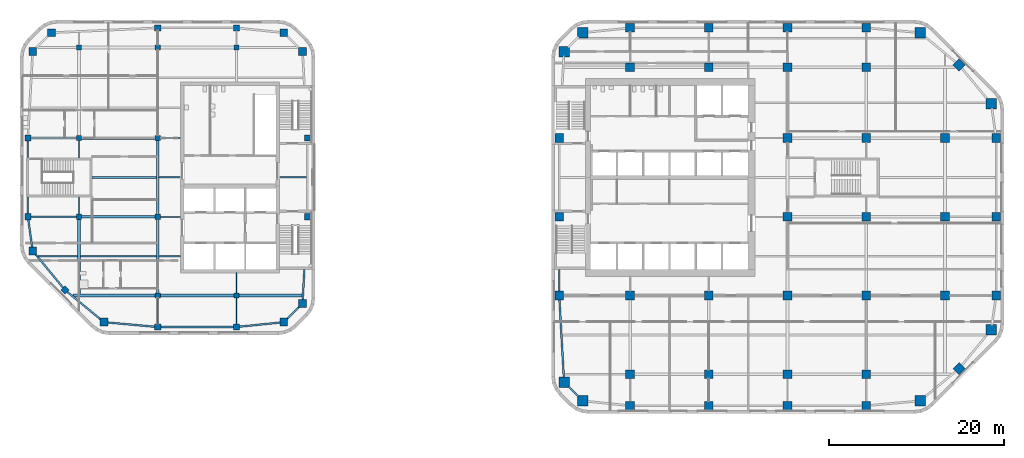
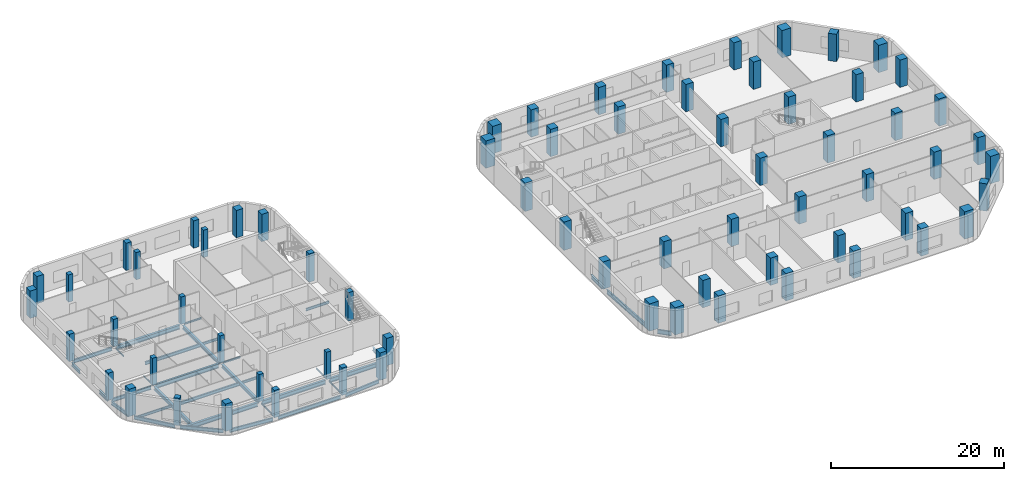
# One storey, part 1 of 15: 69 columns, 36 beams.
"""IFC4 building model written with IfcOpenShell, lengths in metres."""

from ifc_helpers import new_model, si_unit, direction, frame, origin, origin_2d, place, context, subcontext, project, spatial, rectangle, i_section, extrude, material, material_profile, profile_set, type_object, element, save


model = new_model("IFC4")

# Units and contexts
model_context = context("Model", 3, precision=1e-05, world=origin(), true_north=direction((0.0, 1.0)))
body_context = subcontext(model_context, "Body", "Model", "MODEL_VIEW")
ifc_project = project(units=[si_unit("LENGTHUNIT", "METRE"), si_unit("AREAUNIT", "SQUARE_METRE"), si_unit("VOLUMEUNIT", "CUBIC_METRE"), si_unit("PLANEANGLEUNIT", "RADIAN"), si_unit("MASSUNIT", "GRAM", prefix="KILO")], contexts=[model_context])

# Site, building, storey
site_placement = place(None, origin())
site = spatial("IfcSite", under=ifc_project, at=site_placement, CompositionType="ELEMENT")
building_placement = place(site_placement, origin())
building = spatial("IfcBuilding", under=site, at=building_placement, Name="Cinnabar Reach Civic Tower", CompositionType="ELEMENT")
storey_placement = place(building_placement, frame((0.0, 0.0, 120.0)))
storey = spatial("IfcBuildingStorey", under=building, at=storey_placement, Name="L28", CompositionType="ELEMENT", Elevation=120.0)

# Columns
ifc_material_1 = material(Name="Concrete C70", Category="concrete")
ifc_material_profile_1 = material_profile(ifc_material_1, rectangle(XDim=1.0, YDim=1.0, at=origin_2d()), Name="RC1000")
ifc_profile_set_1 = profile_set([ifc_material_profile_1], Name="Concrete C70")
column_type_1 = type_object("IfcColumnType", Name="RC1000 column R 240", PredefinedType="COLUMN", material=ifc_profile_set_1)
for number, where, z_axis, x_axis, name in (
    (1, (9.0, 5.4, 0.0), (0.0, 0.0, 1.0), (1.0, 0.0, 0.0), "Column T1-Z2-F0-1"),
    (2, (18.0, 5.4, 0.0), (0.0, 0.0, 1.0), (1.0, 0.0, 0.0), "Column T1-Z2-F0-2"),
    (3, (27.0, 5.4, 0.0), (0.0, 0.0, 1.0), (1.0, 0.0, 0.0), "Column T1-Z2-F0-3"),
    (4, (36.0, 5.4, 0.0), (0.0, 0.0, 1.0), (1.0, 0.0, 0.0), "Column T1-Z2-F0-4"),
    (5, (46.6136, 9.6364, 0.0), (0.0, 0.0, 1.0), (0.707106781187, 0.707106781187, 0.0), "Column T1-Z2-F1-M"),
    (6, (50.85, 18.0, 0.0), (0.0, 0.0, 1.0), (1.0, 0.0, 0.0), "Column T1-Z2-F2-2"),
    (7, (50.85, 27.0, 0.0), (0.0, 0.0, 1.0), (1.0, 0.0, 0.0), "Column T1-Z2-F2-3"),
    (8, (50.85, 36.0, 0.0), (0.0, 0.0, 1.0), (1.0, 0.0, 0.0), "Column T1-Z2-F2-4"),
    (9, (46.6136, 44.3636, 0.0), (0.0, 0.0, 1.0), (0.707106781187, 0.707106781187, 0.0), "Column T1-Z2-F3-M"),
    (10, (9.0, 48.6, 0.0), (0.0, 0.0, 1.0), (1.0, 0.0, 0.0), "Column T1-Z2-F4-1"),
    (11, (18.0, 48.6, 0.0), (0.0, 0.0, 1.0), (1.0, 0.0, 0.0), "Column T1-Z2-F4-2"),
    (12, (27.0, 48.6, 0.0), (0.0, 0.0, 1.0), (1.0, 0.0, 0.0), "Column T1-Z2-F4-3"),
    (13, (36.0, 48.6, 0.0), (0.0, 0.0, 1.0), (1.0, 0.0, 0.0), "Column T1-Z2-F4-4"),
    (14, (0.9, 18.0, 0.0), (0.0, 0.0, 1.0), (1.0, 0.0, 0.0), "Column T1-Z2-F6-2"),
):
    element("IfcColumn", number, at=place(storey_placement, frame(where, z_axis=z_axis, x_axis=x_axis)), inside=storey, type_object=column_type_1, Name=name, PredefinedType="COLUMN", context=body_context, shape_type="SweptSolid", body=[
        extrude(rectangle(XDim=1.0, YDim=1.0, at=origin_2d()), origin(), (0.0, 0.0, 1.0), 3.85),
    ])
for number, where, z_axis, x_axis, name in (
    (15, (0.9, 27.0, 0.0), (0.0, 0.0, 1.0), (1.0, 0.0, 0.0), "Column T1-Z2-F6-3"),
    (16, (0.9, 36.0, 0.0), (0.0, 0.0, 1.0), (1.0, 0.0, 0.0), "Column T1-Z2-F6-4"),
):
    element("IfcColumn", number, at=place(storey_placement, frame(where, z_axis=z_axis, x_axis=x_axis)), inside=storey, type_object=column_type_1, Name=name, PredefinedType="COLUMN", context=body_context, shape_type="SweptSolid", body=[
        extrude(rectangle(XDim=1.0, YDim=1.0, at=origin_2d()), origin(), (0.0, 0.0, 1.0), 4.0),
    ])
for number, where, z_axis, x_axis, name in (
    (17, (9.0, 9.0, 0.0), (0.0, 0.0, 1.0), (1.0, 0.0, 0.0), "Column T1-Z2-I9_9"),
    (18, (9.0, 18.0, 0.0), (0.0, 0.0, 1.0), (1.0, 0.0, 0.0), "Column T1-Z2-I9_18"),
    (19, (9.0, 44.1, 0.0), (0.0, 0.0, 1.0), (1.0, 0.0, 0.0), "Column T1-Z2-I9_45"),
    (20, (18.0, 9.0, 0.0), (0.0, 0.0, 1.0), (1.0, 0.0, 0.0), "Column T1-Z2-I18_9"),
    (21, (18.0, 18.0, 0.0), (0.0, 0.0, 1.0), (1.0, 0.0, 0.0), "Column T1-Z2-I18_18"),
    (22, (18.0, 44.1, 0.0), (0.0, 0.0, 1.0), (1.0, 0.0, 0.0), "Column T1-Z2-I18_45"),
    (23, (27.0, 9.0, 0.0), (0.0, 0.0, 1.0), (1.0, 0.0, 0.0), "Column T1-Z2-I27_9"),
    (24, (27.0, 18.0, 0.0), (0.0, 0.0, 1.0), (1.0, 0.0, 0.0), "Column T1-Z2-I27_18"),
    (25, (27.0, 27.0, 0.0), (0.0, 0.0, 1.0), (1.0, 0.0, 0.0), "Column T1-Z2-I27_27"),
    (26, (27.0, 36.0, 0.0), (0.0, 0.0, 1.0), (1.0, 0.0, 0.0), "Column T1-Z2-I27_36"),
    (27, (27.0, 44.1, 0.0), (0.0, 0.0, 1.0), (1.0, 0.0, 0.0), "Column T1-Z2-I27_45"),
    (28, (36.0, 9.0, 0.0), (0.0, 0.0, 1.0), (1.0, 0.0, 0.0), "Column T1-Z2-I36_9"),
    (29, (36.0, 18.0, 0.0), (0.0, 0.0, 1.0), (1.0, 0.0, 0.0), "Column T1-Z2-I36_18"),
    (30, (36.0, 27.0, 0.0), (0.0, 0.0, 1.0), (1.0, 0.0, 0.0), "Column T1-Z2-I36_27"),
    (31, (36.0, 36.0, 0.0), (0.0, 0.0, 1.0), (1.0, 0.0, 0.0), "Column T1-Z2-I36_36"),
    (32, (36.0, 44.1, 0.0), (0.0, 0.0, 1.0), (1.0, 0.0, 0.0), "Column T1-Z2-I36_45"),
    (33, (45.0, 18.0, 0.0), (0.0, 0.0, 1.0), (1.0, 0.0, 0.0), "Column T1-Z2-I45_18"),
    (34, (45.0, 27.0, 0.0), (0.0, 0.0, 1.0), (1.0, 0.0, 0.0), "Column T1-Z2-I45_27"),
    (35, (45.0, 36.0, 0.0), (0.0, 0.0, 1.0), (1.0, 0.0, 0.0), "Column T1-Z2-I45_36"),
):
    element("IfcColumn", number, at=place(storey_placement, frame(where, z_axis=z_axis, x_axis=x_axis)), inside=storey, type_object=column_type_1, Name=name, PredefinedType="COLUMN", context=body_context, shape_type="SweptSolid", body=[
        extrude(rectangle(XDim=1.0, YDim=1.0, at=origin_2d()), origin(), (0.0, 0.0, 1.0), 3.85),
    ])
ifc_material_2 = material(Name="Concrete C80", Category="concrete")
ifc_material_profile_2 = material_profile(ifc_material_2, rectangle(XDim=1.2, YDim=1.2, at=origin_2d()), Name="RC1200")
ifc_profile_set_2 = profile_set([ifc_material_profile_2], Name="Concrete C80")
column_type_2 = type_object("IfcColumnType", Name="RC1200 column R 240", PredefinedType="COLUMN", material=ifc_profile_set_2)
for number, where, z_axis, x_axis, name in (
    (36, (3.6019, 5.9531, 0.0), (0.0, 0.0, 1.0), (1.0, 0.0, 0.0), "Column T1-Z2-CC0"),
    (37, (42.1481, 5.9531, 0.0), (0.0, 0.0, 1.0), (1.0, 0.0, 0.0), "Column T1-Z2-CC1"),
    (38, (50.2969, 14.1019, 0.0), (0.0, 0.0, 1.0), (1.0, 0.0, 0.0), "Column T1-Z2-CC2"),
    (39, (50.2969, 39.8981, 0.0), (0.0, 0.0, 1.0), (1.0, 0.0, 0.0), "Column T1-Z2-CC3"),
    (40, (42.1481, 48.0469, 0.0), (0.0, 0.0, 1.0), (1.0, 0.0, 0.0), "Column T1-Z2-CC4"),
    (41, (3.6019, 48.0469, 0.0), (0.0, 0.0, 1.0), (1.0, 0.0, 0.0), "Column T1-Z2-CC5"),
    (42, (1.4531, 45.8981, 0.0), (0.0, 0.0, 1.0), (1.0, 0.0, 0.0), "Column T1-Z2-CC6"),
    (43, (1.4531, 8.1019, 0.0), (0.0, 0.0, 1.0), (1.0, 0.0, 0.0), "Column T1-Z2-CC7"),
):
    element("IfcColumn", number, at=place(storey_placement, frame(where, z_axis=z_axis, x_axis=x_axis)), inside=storey, type_object=column_type_2, Name=name, PredefinedType="COLUMN", context=body_context, shape_type="SweptSolid", body=[
        extrude(rectangle(XDim=1.2, YDim=1.2, at=origin_2d()), origin(), (0.0, 0.0, 1.0), 3.85),
    ])
ifc_material_3 = material(Name="Concrete C60", Category="concrete")
ifc_material_profile_3 = material_profile(ifc_material_3, rectangle(XDim=0.6, YDim=0.6, at=origin_2d()), Name="RC600")
ifc_profile_set_3 = profile_set([ifc_material_profile_3], Name="Concrete C60")
column_type_3 = type_object("IfcColumnType", Name="RC600 column R 180", PredefinedType="COLUMN", material=ifc_profile_set_3)
for number, where, z_axis, x_axis, name in (
    (44, (-54.0, 27.0, 0.0), (0.0, 0.0, 1.0), (1.0, 0.0, 0.0), "Column T2-Z3-I-54_27"),
    (45, (-54.0, 36.0, 0.0), (0.0, 0.0, 1.0), (1.0, 0.0, 0.0), "Column T2-Z3-I-54_36"),
    (46, (-54.0, 46.35, 0.0), (0.0, 0.0, 1.0), (1.0, 0.0, 0.0), "Column T2-Z3-I-54_45"),
    (47, (-45.0, 18.0, 0.0), (0.0, 0.0, 1.0), (1.0, 0.0, 0.0), "Column T2-Z3-I-45_18"),
    (48, (-45.0, 27.0, 0.0), (0.0, 0.0, 1.0), (1.0, 0.0, 0.0), "Column T2-Z3-I-45_27"),
    (49, (-45.0, 36.0, 0.0), (0.0, 0.0, 1.0), (1.0, 0.0, 0.0), "Column T2-Z3-I-45_36"),
    (50, (-45.0, 46.35, 0.0), (0.0, 0.0, 1.0), (1.0, 0.0, 0.0), "Column T2-Z3-I-45_45"),
    (51, (-36.0, 18.0, 0.0), (0.0, 0.0, 1.0), (1.0, 0.0, 0.0), "Column T2-Z3-I-36_18"),
    (52, (-36.0, 46.35, 0.0), (0.0, 0.0, 1.0), (1.0, 0.0, 0.0), "Column T2-Z3-I-36_45"),
):
    element("IfcColumn", number, at=place(storey_placement, frame(where, z_axis=z_axis, x_axis=x_axis)), inside=storey, type_object=column_type_3, Name=name, PredefinedType="COLUMN", context=body_context, shape_type="SweptSolid", body=[
        extrude(rectangle(XDim=0.6, YDim=0.6, at=origin_2d()), origin(), (0.0, 0.0, 1.0), 3.85),
    ])
ifc_material_profile_4 = material_profile(ifc_material_3, rectangle(XDim=0.7, YDim=0.7, at=origin_2d()), Name="RC700")
ifc_profile_set_4 = profile_set([ifc_material_profile_4], Name="Concrete C60")
column_type_4 = type_object("IfcColumnType", Name="RC700 column R 180", PredefinedType="COLUMN", material=ifc_profile_set_4)
for number, where, z_axis, x_axis, name in (
    (53, (-45.0, 14.4, 0.0), (0.0, 0.0, 1.0), (1.0, 0.0, 0.0), "Column T2-Z3-F0--5"),
    (54, (-36.0, 14.4, 0.0), (0.0, 0.0, 1.0), (1.0, 0.0, 0.0), "Column T2-Z3-F0--4"),
):
    element("IfcColumn", number, at=place(storey_placement, frame(where, z_axis=z_axis, x_axis=x_axis)), inside=storey, type_object=column_type_4, Name=name, PredefinedType="COLUMN", context=body_context, shape_type="SweptSolid", body=[
        extrude(rectangle(XDim=0.7, YDim=0.7, at=origin_2d()), origin(), (0.0, 0.0, 1.0), 3.85),
    ])
for number, where, z_axis, x_axis, name in (
    (55, (-27.9, 27.0, 0.0), (0.0, 0.0, 1.0), (1.0, 0.0, 0.0), "Column T2-Z3-F2-3"),
    (56, (-27.9, 36.0, 0.0), (0.0, 0.0, 1.0), (1.0, 0.0, 0.0), "Column T2-Z3-F2-4"),
):
    element("IfcColumn", number, at=place(storey_placement, frame(where, z_axis=z_axis, x_axis=x_axis)), inside=storey, type_object=column_type_4, Name=name, PredefinedType="COLUMN", context=body_context, shape_type="SweptSolid", body=[
        extrude(rectangle(XDim=0.7, YDim=0.7, at=origin_2d()), origin(), (0.0, 0.0, 1.0), 4.0),
    ])
for number, where, z_axis, x_axis, name in (
    (57, (-45.0, 48.6, 0.0), (0.0, 0.0, 1.0), (1.0, 0.0, 0.0), "Column T2-Z3-F4--5"),
    (58, (-36.0, 48.6, 0.0), (0.0, 0.0, 1.0), (1.0, 0.0, 0.0), "Column T2-Z3-F4--4"),
    (59, (-59.85, 27.0, 0.0), (0.0, 0.0, 1.0), (1.0, 0.0, 0.0), "Column T2-Z3-F6-3"),
    (60, (-59.85, 36.0, 0.0), (0.0, 0.0, 1.0), (1.0, 0.0, 0.0), "Column T2-Z3-F6-4"),
    (61, (-55.6136, 18.6364, 0.0), (0.0, 0.0, 1.0), (0.707106781187, 0.707106781187, 0.0), "Column T2-Z3-F7-M"),
):
    element("IfcColumn", number, at=place(storey_placement, frame(where, z_axis=z_axis, x_axis=x_axis)), inside=storey, type_object=column_type_4, Name=name, PredefinedType="COLUMN", context=body_context, shape_type="SweptSolid", body=[
        extrude(rectangle(XDim=0.7, YDim=0.7, at=origin_2d()), origin(), (0.0, 0.0, 1.0), 3.85),
    ])
ifc_material_profile_5 = material_profile(ifc_material_1, rectangle(XDim=0.9, YDim=0.9, at=origin_2d()), Name="RC900")
ifc_profile_set_5 = profile_set([ifc_material_profile_5], Name="Concrete C70")
column_type_5 = type_object("IfcColumnType", Name="RC900 column R 180", PredefinedType="COLUMN", material=ifc_profile_set_5)
for number, where, z_axis, x_axis, name in (
    (62, (-51.1481, 14.9531, 0.0), (0.0, 0.0, 1.0), (1.0, 0.0, 0.0), "Column T2-Z3-CC0"),
    (63, (-30.6019, 14.9531, 0.0), (0.0, 0.0, 1.0), (1.0, 0.0, 0.0), "Column T2-Z3-CC1"),
    (64, (-28.4531, 17.1019, 0.0), (0.0, 0.0, 1.0), (1.0, 0.0, 0.0), "Column T2-Z3-CC2"),
    (65, (-28.4531, 45.8981, 0.0), (0.0, 0.0, 1.0), (1.0, 0.0, 0.0), "Column T2-Z3-CC3"),
    (66, (-30.6019, 48.0469, 0.0), (0.0, 0.0, 1.0), (1.0, 0.0, 0.0), "Column T2-Z3-CC4"),
    (67, (-57.1481, 48.0469, 0.0), (0.0, 0.0, 1.0), (1.0, 0.0, 0.0), "Column T2-Z3-CC5"),
    (68, (-59.2969, 45.8981, 0.0), (0.0, 0.0, 1.0), (1.0, 0.0, 0.0), "Column T2-Z3-CC6"),
    (69, (-59.2969, 23.1019, 0.0), (0.0, 0.0, 1.0), (1.0, 0.0, 0.0), "Column T2-Z3-CC7"),
):
    element("IfcColumn", number, at=place(storey_placement, frame(where, z_axis=z_axis, x_axis=x_axis)), inside=storey, type_object=column_type_5, Name=name, PredefinedType="COLUMN", context=body_context, shape_type="SweptSolid", body=[
        extrude(rectangle(XDim=0.9, YDim=0.9, at=origin_2d()), origin(), (0.0, 0.0, 1.0), 3.85),
    ])

# Beams
ifc_material_4 = material(Name="Steel Q355B", Category="steel")
ifc_material_profile_6 = material_profile(ifc_material_4, i_section(OverallWidth=0.3, OverallDepth=0.488, WebThickness=0.011, FlangeThickness=0.018, FilletRadius=0.016, at=origin_2d()), Name="HM488x300x11x18")
ifc_profile_set_6 = profile_set([ifc_material_profile_6], Name="Steel Q355B")
beam_type_1 = type_object("IfcBeamType", Name="HM488x300x11x18 beam R 120", PredefinedType="BEAM", material=ifc_profile_set_6)
beam_1_placement = place(storey_placement, frame((-54.0, 18.152, -0.394), z_axis=(0.0, 1.0, 0.0), x_axis=(-1.0, 0.0, 0.0)))
element("IfcBeam", 70, at=beam_1_placement, inside=storey, type_object=beam_type_1, Name="Girder T2 L28 1", PredefinedType="BEAM", context=body_context, shape_type="SweptSolid", body=[
    extrude(i_section(OverallWidth=0.3, OverallDepth=0.488, WebThickness=0.011, FlangeThickness=0.018, FilletRadius=0.016, at=origin_2d()), origin(), (0.0, 0.0, 1.0), 8.546),
])
for number, where, z_axis, x_axis, name in (
    (71, (-45.0, 18.302, -0.394), (0.0, 1.0, 0.0), (-1.0, 0.0, 0.0), "Girder T2 L28 7"),
    (72, (-45.0, 27.302, -0.394), (0.0, 1.0, 0.0), (-1.0, 0.0, 0.0), "Girder T2 L28 8"),
):
    element("IfcBeam", number, at=place(storey_placement, frame(where, z_axis=z_axis, x_axis=x_axis)), inside=storey, type_object=beam_type_1, Name=name, PredefinedType="BEAM", context=body_context, shape_type="SweptSolid", body=[
        extrude(i_section(OverallWidth=0.3, OverallDepth=0.488, WebThickness=0.011, FlangeThickness=0.018, FilletRadius=0.016, at=origin_2d()), origin(), (0.0, 0.0, 1.0), 8.396),
    ])
ifc_material_profile_7 = material_profile(ifc_material_4, i_section(OverallWidth=0.3, OverallDepth=0.588, WebThickness=0.012, FlangeThickness=0.02, FilletRadius=0.016, at=origin_2d()), Name="HM588x300x12x20")
ifc_profile_set_7 = profile_set([ifc_material_profile_7], Name="Steel Q355B")
beam_type_2 = type_object("IfcBeamType", Name="HM588x300x12x20 beam R 120", PredefinedType="BEAM", material=ifc_profile_set_7)
beam_2_placement = place(storey_placement, frame((-54.6818, 18.0, -0.444), z_axis=(1.0, 0.0, 0.0), x_axis=(0.0, 1.0, 0.0)))
element("IfcBeam", 73, at=beam_2_placement, inside=storey, type_object=beam_type_2, Name="Girder T2 L28 1", PredefinedType="BEAM", context=body_context, shape_type="SweptSolid", body=[
    extrude(i_section(OverallWidth=0.3, OverallDepth=0.588, WebThickness=0.012, FlangeThickness=0.02, FilletRadius=0.016, at=origin_2d()), origin(), (0.0, 0.0, 1.0), 9.3798),
])
beam_3_placement = place(storey_placement, frame((-44.698, 18.0, -0.444), z_axis=(1.0, 0.0, 0.0), x_axis=(0.0, 1.0, 0.0)))
element("IfcBeam", 74, at=beam_3_placement, inside=storey, type_object=beam_type_2, Name="Girder T2 L28 2", PredefinedType="BEAM", context=body_context, shape_type="SweptSolid", body=[
    extrude(i_section(OverallWidth=0.3, OverallDepth=0.588, WebThickness=0.012, FlangeThickness=0.02, FilletRadius=0.016, at=origin_2d()), origin(), (0.0, 0.0, 1.0), 8.396),
])
beam_4_placement = place(storey_placement, frame((-35.698, 18.0, -0.444), z_axis=(1.0, 0.0, 0.0), x_axis=(0.0, 1.0, 0.0)))
element("IfcBeam", 75, at=beam_4_placement, inside=storey, type_object=beam_type_2, Name="Girder T2 L28 3", PredefinedType="BEAM", context=body_context, shape_type="SweptSolid", body=[
    extrude(i_section(OverallWidth=0.3, OverallDepth=0.588, WebThickness=0.012, FlangeThickness=0.02, FilletRadius=0.016, at=origin_2d()), origin(), (0.0, 0.0, 1.0), 7.1929),
])
for number, where, z_axis, x_axis, name in (
    (76, (-53.698, 27.0, -0.444), (1.0, 0.0, 0.0), (0.0, 1.0, 0.0), "Girder T2 L28 5"),
    (77, (-53.698, 36.0, -0.444), (1.0, 0.0, 0.0), (0.0, 1.0, 0.0), "Girder T2 L28 8"),
):
    element("IfcBeam", number, at=place(storey_placement, frame(where, z_axis=z_axis, x_axis=x_axis)), inside=storey, type_object=beam_type_2, Name=name, PredefinedType="BEAM", context=body_context, shape_type="SweptSolid", body=[
        extrude(i_section(OverallWidth=0.3, OverallDepth=0.588, WebThickness=0.012, FlangeThickness=0.02, FilletRadius=0.016, at=origin_2d()), origin(), (0.0, 0.0, 1.0), 8.396),
    ])
ifc_material_profile_8 = material_profile(ifc_material_4, i_section(OverallWidth=0.099, OverallDepth=0.198, WebThickness=0.0045, FlangeThickness=0.007, FilletRadius=0.013, at=origin_2d()), Name="HN200x100x5.5x8")
ifc_profile_set_8 = profile_set([ifc_material_profile_8], Name="Steel Q355B")
beam_type_3 = type_object("IfcBeamType", Name="HN200x100x5.5x8 beam R 120", PredefinedType="BEAM", material=ifc_profile_set_8)
for number, where, z_axis, x_axis, name in (
    (78, (-54.0, 27.302, -0.249), (0.0, 1.0, 0.0), (-1.0, 0.0, 0.0), "Girder T2 L28 2"),
    (79, (-54.0, 33.752, -0.249), (0.0, 1.0, 0.0), (-1.0, 0.0, 0.0), "Girder T2 L28 3"),
):
    element("IfcBeam", number, at=place(storey_placement, frame(where, z_axis=z_axis, x_axis=x_axis)), inside=storey, type_object=beam_type_3, Name=name, PredefinedType="BEAM", context=body_context, shape_type="SweptSolid", body=[
        extrude(i_section(OverallWidth=0.099, OverallDepth=0.198, WebThickness=0.0045, FlangeThickness=0.007, FilletRadius=0.013, at=origin_2d()), origin(), (0.0, 0.0, 1.0), 1.946),
    ])
for number, where, z_axis, x_axis, name in (
    (80, (-45.0, 14.752, -0.249), (0.0, 1.0, 0.0), (-1.0, 0.0, 0.0), "Girder T2 L28 6"),
    (81, (-36.0, 14.752, -0.249), (0.0, 1.0, 0.0), (-1.0, 0.0, 0.0), "Girder T2 L28 11"),
):
    element("IfcBeam", number, at=place(storey_placement, frame(where, z_axis=z_axis, x_axis=x_axis)), inside=storey, type_object=beam_type_3, Name=name, PredefinedType="BEAM", context=body_context, shape_type="SweptSolid", body=[
        extrude(i_section(OverallWidth=0.099, OverallDepth=0.198, WebThickness=0.0045, FlangeThickness=0.007, FilletRadius=0.013, at=origin_2d()), origin(), (0.0, 0.0, 1.0), 2.946),
    ])
beam_5_placement = place(storey_placement, frame((-36.0, 18.302, -0.249), z_axis=(0.0, 1.0, 0.0), x_axis=(-1.0, 0.0, 0.0)))
element("IfcBeam", 82, at=beam_5_placement, inside=storey, type_object=beam_type_3, Name="Girder T2 L28 12", PredefinedType="BEAM", context=body_context, shape_type="SweptSolid", body=[
    extrude(i_section(OverallWidth=0.099, OverallDepth=0.198, WebThickness=0.0045, FlangeThickness=0.007, FilletRadius=0.013, at=origin_2d()), origin(), (0.0, 0.0, 1.0), 2.296),
])
ifc_material_profile_9 = material_profile(ifc_material_4, i_section(OverallWidth=0.124, OverallDepth=0.248, WebThickness=0.005, FlangeThickness=0.008, FilletRadius=0.013, at=origin_2d()), Name="HN250x125x6x9")
ifc_profile_set_9 = profile_set([ifc_material_profile_9], Name="Steel Q355B")
beam_type_4 = type_object("IfcBeamType", Name="HN250x125x6x9 beam R 120", PredefinedType="BEAM", material=ifc_profile_set_9)
for number, where, z_axis, x_axis, name in (
    (83, (-44.698, 27.0, -0.274), (1.0, 0.0, 0.0), (0.0, 1.0, 0.0), "Girder T2 L28 6"),
    (84, (-44.698, 36.0, -0.274), (1.0, 0.0, 0.0), (0.0, 1.0, 0.0), "Girder T2 L28 9"),
):
    element("IfcBeam", number, at=place(storey_placement, frame(where, z_axis=z_axis, x_axis=x_axis)), inside=storey, type_object=beam_type_4, Name=name, PredefinedType="BEAM", context=body_context, shape_type="SweptSolid", body=[
        extrude(i_section(OverallWidth=0.124, OverallDepth=0.248, WebThickness=0.005, FlangeThickness=0.008, FilletRadius=0.013, at=origin_2d()), origin(), (0.0, 0.0, 1.0), 2.296),
    ])
ifc_material_profile_10 = material_profile(ifc_material_4, i_section(OverallWidth=0.175, OverallDepth=0.35, WebThickness=0.007, FlangeThickness=0.011, FilletRadius=0.013, at=origin_2d()), Name="HN350x175x7x11")
ifc_profile_set_10 = profile_set([ifc_material_profile_10], Name="Steel Q355B")
beam_type_5 = type_object("IfcBeamType", Name="HN350x175x7x11 beam R 120", PredefinedType="BEAM", material=ifc_profile_set_10)
beam_6_placement = place(storey_placement, frame((-58.6682, 22.5, -0.325), z_axis=(1.0, 0.0, 0.0), x_axis=(0.0, 1.0, 0.0)))
element("IfcBeam", 85, at=beam_6_placement, inside=storey, type_object=beam_type_5, Name="Secondary beam T2 L28 1", PredefinedType="BEAM", context=body_context, shape_type="SweptSolid", body=[
    extrude(i_section(OverallWidth=0.175, OverallDepth=0.35, WebThickness=0.007, FlangeThickness=0.011, FilletRadius=0.013, at=origin_2d()), origin(), (0.0, 0.0, 1.0), 4.5162),
])
for number, where, z_axis, x_axis, name in (
    (86, (-44.848, 22.5, -0.325), (1.0, 0.0, 0.0), (0.0, 1.0, 0.0), "Secondary beam T2 L28 3"),
    (87, (-44.848, 31.5, -0.325), (1.0, 0.0, 0.0), (0.0, 1.0, 0.0), "Secondary beam T2 L28 5"),
):
    element("IfcBeam", number, at=place(storey_placement, frame(where, z_axis=z_axis, x_axis=x_axis)), inside=storey, type_object=beam_type_5, Name=name, PredefinedType="BEAM", context=body_context, shape_type="SweptSolid", body=[
        extrude(i_section(OverallWidth=0.175, OverallDepth=0.35, WebThickness=0.007, FlangeThickness=0.011, FilletRadius=0.013, at=origin_2d()), origin(), (0.0, 0.0, 1.0), 2.446),
    ])
beam_7_placement = place(storey_placement, frame((-31.098, 31.5, -0.325), z_axis=(1.0, 0.0, 0.0), x_axis=(0.0, 1.0, 0.0)))
element("IfcBeam", 88, at=beam_7_placement, inside=storey, type_object=beam_type_5, Name="Secondary beam T2 L28 6", PredefinedType="BEAM", context=body_context, shape_type="SweptSolid", body=[
    extrude(i_section(OverallWidth=0.175, OverallDepth=0.35, WebThickness=0.007, FlangeThickness=0.011, FilletRadius=0.013, at=origin_2d()), origin(), (0.0, 0.0, 1.0), 3.096),
])
ifc_material_profile_11 = material_profile(ifc_material_4, i_section(OverallWidth=0.2, OverallDepth=0.45, WebThickness=0.009, FlangeThickness=0.014, FilletRadius=0.016, at=origin_2d()), Name="HN450x200x9x14")
ifc_profile_set_11 = profile_set([ifc_material_profile_11], Name="Steel Q355B")
beam_type_6 = type_object("IfcBeamType", Name="HN450x200x9x14 beam R 120", PredefinedType="BEAM", material=ifc_profile_set_11)
beam_8_placement = place(storey_placement, frame((-53.848, 22.5, -0.375), z_axis=(1.0, 0.0, 0.0), x_axis=(0.0, 1.0, 0.0)))
element("IfcBeam", 89, at=beam_8_placement, inside=storey, type_object=beam_type_6, Name="Secondary beam T2 L28 2", PredefinedType="BEAM", context=body_context, shape_type="SweptSolid", body=[
    extrude(i_section(OverallWidth=0.2, OverallDepth=0.45, WebThickness=0.009, FlangeThickness=0.014, FilletRadius=0.016, at=origin_2d()), origin(), (0.0, 0.0, 1.0), 8.696),
])
beam_9_placement = place(storey_placement, frame((-52.498, 31.5, -0.375), z_axis=(1.0, 0.0, 0.0), x_axis=(0.0, 1.0, 0.0)))
element("IfcBeam", 90, at=beam_9_placement, inside=storey, type_object=beam_type_6, Name="Secondary beam T2 L28 4", PredefinedType="BEAM", context=body_context, shape_type="SweptSolid", body=[
    extrude(i_section(OverallWidth=0.2, OverallDepth=0.45, WebThickness=0.009, FlangeThickness=0.014, FilletRadius=0.016, at=origin_2d()), origin(), (0.0, 0.0, 1.0), 7.346),
])
ifc_material_profile_12 = material_profile(ifc_material_4, i_section(OverallWidth=0.2, OverallDepth=0.5, WebThickness=0.01, FlangeThickness=0.016, FilletRadius=0.016, at=origin_2d()), Name="HN500x200x10x16")
ifc_profile_set_12 = profile_set([ifc_material_profile_12], Name="Steel Q355B")
beam_type_7 = type_object("IfcBeamType", Name="HN500x200x10x16 beam R 120", PredefinedType="BEAM", material=ifc_profile_set_12)
beam_10_placement = place(storey_placement, frame((-50.8161, 14.9232, -0.4), z_axis=(0.99597881512, -0.089589060894, 0.0), x_axis=(0.089589060894, 0.99597881512, 0.0)))
element("IfcBeam", 91, at=beam_10_placement, inside=storey, type_object=beam_type_7, Name="Edge beam T2 L28 1", PredefinedType="BEAM", context=body_context, shape_type="SweptSolid", body=[
    extrude(i_section(OverallWidth=0.2, OverallDepth=0.5, WebThickness=0.01, FlangeThickness=0.016, FilletRadius=0.016, at=origin_2d()), origin(), (0.0, 0.0, 1.0), 5.4862),
])
beam_11_placement = place(storey_placement, frame((-44.648, 14.4, -0.4), z_axis=(1.0, 0.0, 0.0), x_axis=(0.0, 1.0, 0.0)))
element("IfcBeam", 92, at=beam_11_placement, inside=storey, type_object=beam_type_7, Name="Edge beam T2 L28 2", PredefinedType="BEAM", context=body_context, shape_type="SweptSolid", body=[
    extrude(i_section(OverallWidth=0.2, OverallDepth=0.5, WebThickness=0.01, FlangeThickness=0.016, FilletRadius=0.016, at=origin_2d()), origin(), (0.0, 0.0, 1.0), 8.296),
])
beam_12_placement = place(storey_placement, frame((-35.648, 14.4361, -0.4), z_axis=(0.994792087401, 0.101924986363, 0.0), x_axis=(-0.101924986363, 0.994792087401, 0.0)))
element("IfcBeam", 93, at=beam_12_placement, inside=storey, type_object=beam_type_7, Name="Edge beam T2 L28 3", PredefinedType="BEAM", context=body_context, shape_type="SweptSolid", body=[
    extrude(i_section(OverallWidth=0.2, OverallDepth=0.5, WebThickness=0.01, FlangeThickness=0.016, FilletRadius=0.016, at=origin_2d()), origin(), (0.0, 0.0, 1.0), 4.7388),
])
beam_13_placement = place(storey_placement, frame((-30.2699, 15.2851, -0.4), z_axis=(0.707106781187, 0.707106781187, 0.0), x_axis=(-0.707106781187, 0.707106781187, 0.0)))
element("IfcBeam", 94, at=beam_13_placement, inside=storey, type_object=beam_type_7, Name="Edge beam T2 L28 4", PredefinedType="BEAM", context=body_context, shape_type="SweptSolid", body=[
    extrude(i_section(OverallWidth=0.2, OverallDepth=0.5, WebThickness=0.01, FlangeThickness=0.016, FilletRadius=0.016, at=origin_2d()), origin(), (0.0, 0.0, 1.0), 2.0998),
])
beam_14_placement = place(storey_placement, frame((-28.4345, 17.4339, -0.4), z_axis=(0.055775670196, 0.99844332569, 0.0), x_axis=(-0.99844332569, 0.055775670196, 0.0)))
element("IfcBeam", 95, at=beam_14_placement, inside=storey, type_object=beam_type_7, Name="Edge beam T2 L28 5", PredefinedType="BEAM", context=body_context, shape_type="SweptSolid", body=[
    extrude(i_section(OverallWidth=0.2, OverallDepth=0.5, WebThickness=0.01, FlangeThickness=0.016, FilletRadius=0.016, at=origin_2d()), origin(), (0.0, 0.0, 1.0), 3.5697),
])
for number, where, z_axis, x_axis, name in (
    (96, (-59.85, 35.648, -0.4), (0.0, -1.0, 0.0), (1.0, 0.0, 0.0), "Edge beam T2 L28 14"),
    (97, (-59.85, 29.248, -0.4), (0.0, -1.0, 0.0), (1.0, 0.0, 0.0), "Edge beam T2 L28 15"),
):
    element("IfcBeam", number, at=place(storey_placement, frame(where, z_axis=z_axis, x_axis=x_axis)), inside=storey, type_object=beam_type_7, Name=name, PredefinedType="BEAM", context=body_context, shape_type="SweptSolid", body=[
        extrude(i_section(OverallWidth=0.2, OverallDepth=0.5, WebThickness=0.01, FlangeThickness=0.016, FilletRadius=0.016, at=origin_2d()), origin(), (0.0, 0.0, 1.0), 1.896),
    ])
beam_15_placement = place(storey_placement, frame((-59.8001, 26.648, -0.4), z_axis=(0.140498398047, -0.990080905859, 0.0), x_axis=(0.990080905859, 0.140498398047, 0.0)))
element("IfcBeam", 98, at=beam_15_placement, inside=storey, type_object=beam_type_7, Name="Edge beam T2 L28 16", PredefinedType="BEAM", context=body_context, shape_type="SweptSolid", body=[
    extrude(i_section(OverallWidth=0.2, OverallDepth=0.5, WebThickness=0.01, FlangeThickness=0.016, FilletRadius=0.016, at=origin_2d()), origin(), (0.0, 0.0, 1.0), 3.2463),
])
for number, where, z_axis, x_axis, name in (
    (99, (-59.0231, 22.7699, -0.4), (0.636307764727, -0.771435304189, 0.0), (0.771435304189, 0.636307764727, 0.0), "Edge beam T2 L28 17"),
    (100, (-55.3873, 18.4497, -0.4), (0.771435304189, -0.636307764727, 0.0), (0.636307764727, 0.771435304189, 0.0), "Edge beam T2 L28 18"),
):
    element("IfcBeam", number, at=place(storey_placement, frame(where, z_axis=z_axis, x_axis=x_axis)), inside=storey, type_object=beam_type_7, Name=name, PredefinedType="BEAM", context=body_context, shape_type="SweptSolid", body=[
        extrude(i_section(OverallWidth=0.2, OverallDepth=0.5, WebThickness=0.01, FlangeThickness=0.016, FilletRadius=0.016, at=origin_2d()), origin(), (0.0, 0.0, 1.0), 5.0648),
    ])
for number, where, z_axis, x_axis, name in (
    (101, (-59.498, 27.0, -0.4), (1.0, 0.0, 0.0), (0.0, 1.0, 0.0), "Girder T2 L28 4"),
    (102, (-59.498, 36.0, -0.4), (1.0, 0.0, 0.0), (0.0, 1.0, 0.0), "Girder T2 L28 7"),
):
    element("IfcBeam", number, at=place(storey_placement, frame(where, z_axis=z_axis, x_axis=x_axis)), inside=storey, type_object=beam_type_7, Name=name, PredefinedType="BEAM", context=body_context, shape_type="SweptSolid", body=[
        extrude(i_section(OverallWidth=0.2, OverallDepth=0.5, WebThickness=0.01, FlangeThickness=0.016, FilletRadius=0.016, at=origin_2d()), origin(), (0.0, 0.0, 1.0), 5.196),
    ])
ifc_material_profile_13 = material_profile(ifc_material_4, i_section(OverallWidth=0.2, OverallDepth=0.6, WebThickness=0.011, FlangeThickness=0.017, FilletRadius=0.016, at=origin_2d()), Name="HN600x200x11x17")
ifc_profile_set_13 = profile_set([ifc_material_profile_13], Name="Steel Q355B")
beam_type_8 = type_object("IfcBeamType", Name="HN600x200x11x17 beam R 180", PredefinedType="BEAM", material=ifc_profile_set_13)
beam_16_placement = place(storey_placement, frame((0.9, 20.998, -0.45), z_axis=(0.0, -1.0, 0.0), x_axis=(1.0, 0.0, 0.0)))
element("IfcBeam", 103, at=beam_16_placement, inside=storey, type_object=beam_type_8, Name="Edge beam T1 L28 22", PredefinedType="BEAM", context=body_context, shape_type="SweptSolid", body=[
    extrude(i_section(OverallWidth=0.2, OverallDepth=0.6, WebThickness=0.011, FlangeThickness=0.017, FilletRadius=0.016, at=origin_2d()), origin(), (0.0, 0.0, 1.0), 2.496),
])
beam_17_placement = place(storey_placement, frame((0.9281, 17.498, -0.45), z_axis=(0.055790736166, -0.998442483951, 0.0), x_axis=(0.998442483951, 0.055790736166, 0.0)))
element("IfcBeam", 104, at=beam_17_placement, inside=storey, type_object=beam_type_8, Name="Edge beam T1 L28 23", PredefinedType="BEAM", context=body_context, shape_type="SweptSolid", body=[
    extrude(i_section(OverallWidth=0.2, OverallDepth=0.6, WebThickness=0.011, FlangeThickness=0.017, FilletRadius=0.016, at=origin_2d()), origin(), (0.0, 0.0, 1.0), 8.928),
])
beam_18_placement = place(storey_placement, frame((1.9351, 7.6199, -0.45), z_axis=(0.707106781187, -0.707106781187, 0.0), x_axis=(0.707106781187, 0.707106781187, 0.0)))
element("IfcBeam", 105, at=beam_18_placement, inside=storey, type_object=beam_type_8, Name="Edge beam T1 L28 24", PredefinedType="BEAM", context=body_context, shape_type="SweptSolid", body=[
    extrude(i_section(OverallWidth=0.2, OverallDepth=0.6, WebThickness=0.011, FlangeThickness=0.017, FilletRadius=0.016, at=origin_2d()), origin(), (0.0, 0.0, 1.0), 1.6756),
])

save(model, "model.ifc")
